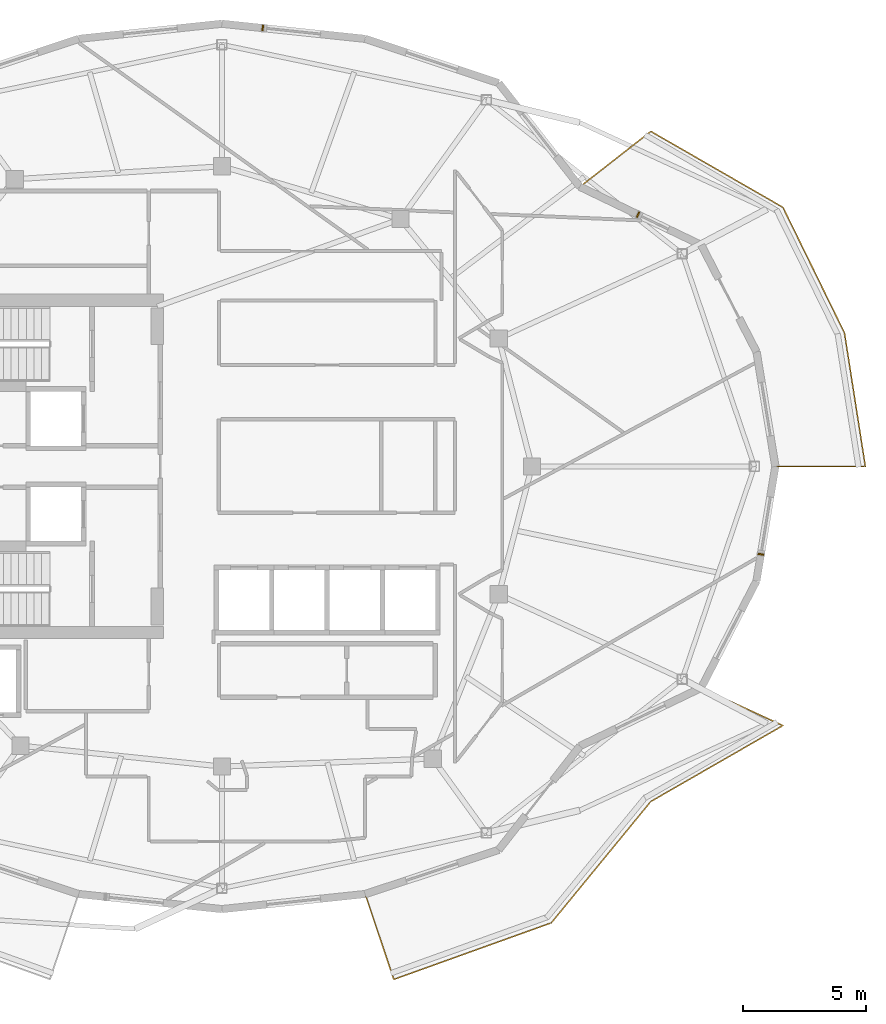
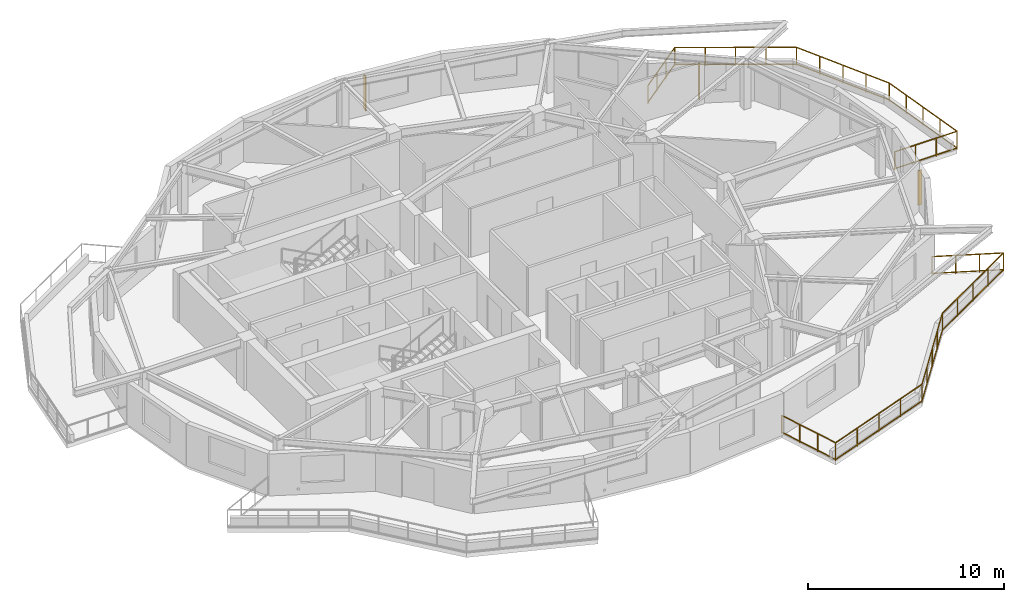
# One storey, part 9 of 9: 3 shading devices, 2 railings.
"""IFC4 building model written with IfcOpenShell, lengths in metres."""

from ifc_helpers import new_model, si_unit, direction, frame, origin, origin_2d, place, context, subcontext, project, spatial, rectangle, extrude, material, type_object, element, save


model = new_model("IFC4")

# Units and contexts
model_context = context("Model", 3, precision=1e-05, world=origin(), true_north=direction((0.0, 1.0)))
body_context = subcontext(model_context, "Body", "Model", "MODEL_VIEW")
ifc_project = project(units=[si_unit("LENGTHUNIT", "METRE"), si_unit("AREAUNIT", "SQUARE_METRE"), si_unit("VOLUMEUNIT", "CUBIC_METRE"), si_unit("PLANEANGLEUNIT", "RADIAN"), si_unit("MASSUNIT", "GRAM", prefix="KILO")], contexts=[model_context])

# Site, building, storey
site_placement = place(None, origin())
site = spatial("IfcSite", under=ifc_project, at=site_placement, CompositionType="ELEMENT")
building_placement = place(site_placement, origin())
building = spatial("IfcBuilding", under=site, at=building_placement, Name="Kolvaren Gate Tower and Convention Centre", CompositionType="ELEMENT")
storey_placement = place(building_placement, frame((0.0, 0.0, 249.199951171875)))
storey = spatial("IfcBuildingStorey", under=building, at=storey_placement, Name="L67", CompositionType="ELEMENT", Elevation=249.199951171875)

# Railings
ifc_material_1 = material(Name="Brushed Stainless Steel Grade 316L", Category="steel")
railing_type = type_object("IfcRailingType", Name="ARCH-RL-GUARD-1150", PredefinedType="GUARDRAIL", material=ifc_material_1)
railing_1_placement = place(storey_placement, frame((52.625, 27.0, 0.0)))
element("IfcRailing", 1, at=railing_1_placement, inside=storey, type_object=railing_type, Name="Tower L67 Terrace Perimeter Guardrail GR-1", PredefinedType="GUARDRAIL", context=body_context, shape_type="SweptSolid", body=[
    extrude(rectangle(XDim=0.048095703125, YDim=0.048095703125, at=origin_2d()), frame((0.028076171875, 0.0, 1.1259765625), z_axis=(1.0, 0.0, 0.0), x_axis=(0.0, 1.0, 0.0)), (0.0, 0.0, 1.0), 3.603759765625),
    extrude(rectangle(XDim=0.048095703125, YDim=0.048095703125, at=origin_2d()), frame((0.028076171875, 0.0, 0.083984375), z_axis=(1.0, 0.0, 0.0), x_axis=(0.0, 1.0, 0.0)), (0.0, 0.0, 1.0), 3.603759765625),
    extrude(rectangle(XDim=0.048095703125, YDim=0.048095703125, at=origin_2d()), frame((3.655517578125, 0.02783203125, 1.1259765625), z_axis=(-0.1543985789, 0.988008643097, 0.0), x_axis=(-0.988008643097, -0.1543985789, 0.0)), (0.0, 0.0, 1.0), 5.435546875),
    extrude(rectangle(XDim=0.048095703125, YDim=0.048095703125, at=origin_2d()), frame((3.655517578125, 0.02783203125, 0.083984375), z_axis=(-0.1543985789, 0.988008643097, 0.0), x_axis=(-0.988008643097, -0.1543985789, 0.0)), (0.0, 0.0, 1.0), 5.435546875),
    extrude(rectangle(XDim=0.048095703125, YDim=0.048095703125, at=origin_2d()), frame((2.799560546875, 5.450927734375, 1.1259765625), z_axis=(-0.440058847499, 0.897968936399, 0.0), x_axis=(-0.897968936399, -0.440058847499, 0.0)), (0.0, 0.0, 1.0), 5.63330078125),
    extrude(rectangle(XDim=0.048095703125, YDim=0.048095703125, at=origin_2d()), frame((2.799560546875, 5.450927734375, 0.083984375), z_axis=(-0.440058847499, 0.897968936399, 0.0), x_axis=(-0.897968936399, -0.440058847499, 0.0)), (0.0, 0.0, 1.0), 5.63330078125),
    extrude(rectangle(XDim=0.048095703125, YDim=0.048095703125, at=origin_2d()), frame((0.283935546875, 10.548583984375, 1.1259765625), z_axis=(-0.866894385595, 0.498491849706, 0.0), x_axis=(-0.498491849706, -0.866894385595, 0.0)), (0.0, 0.0, 1.0), 6.140869140625),
    extrude(rectangle(XDim=0.048095703125, YDim=0.048095703125, at=origin_2d()), frame((0.283935546875, 10.548583984375, 0.083984375), z_axis=(-0.866894385595, 0.498491849706, 0.0), x_axis=(-0.498491849706, -0.866894385595, 0.0)), (0.0, 0.0, 1.0), 6.140869140625),
    extrude(rectangle(XDim=0.048095703125, YDim=0.048095703125, at=origin_2d()), frame((-5.0859375, 13.6064453125, 1.1259765625), z_axis=(-0.787988976981, -0.61568934712, 0.0), x_axis=(0.61568934712, -0.787988976981, 0.0)), (0.0, 0.0, 1.0), 3.60400390625),
    extrude(rectangle(XDim=0.048095703125, YDim=0.048095703125, at=origin_2d()), frame((-5.0859375, 13.6064453125, 0.083984375), z_axis=(-0.787988976981, -0.61568934712, 0.0), x_axis=(0.61568934712, -0.787988976981, 0.0)), (0.0, 0.0, 1.0), 3.60400390625),
    extrude(rectangle(XDim=0.0419921875, YDim=0.0419921875, at=origin_2d()), origin(), (0.0, 0.0, 1.0), 1.14990234375),
    extrude(rectangle(XDim=0.0419921875, YDim=0.0419921875, at=origin_2d()), frame((3.659912109375, 0.0, 0.0)), (0.0, 0.0, 1.0), 1.14990234375),
    extrude(rectangle(XDim=0.0419921875, YDim=0.0419921875, at=origin_2d()), frame((1.219970703125, 0.0, 0.0)), (0.0, 0.0, 1.0), 1.099853515625),
    extrude(rectangle(XDim=0.0419921875, YDim=0.0419921875, at=origin_2d()), frame((2.43994140625, 0.0, 0.0)), (0.0, 0.0, 1.0), 1.099853515625),
    extrude(rectangle(XDim=0.0419921875, YDim=0.0419921875, at=origin_2d()), frame((2.81201171875, 5.42578125, 0.0)), (0.0, 0.0, 1.0), 1.14990234375),
    extrude(rectangle(XDim=0.0419921875, YDim=0.0419921875, at=origin_2d()), frame((3.447998046875, 1.3564453125, 0.0)), (0.0, 0.0, 1.0), 1.099853515625),
    extrude(rectangle(XDim=0.0419921875, YDim=0.0419921875, at=origin_2d()), frame((3.23583984375, 2.712890625, 0.0)), (0.0, 0.0, 1.0), 1.099853515625),
    extrude(rectangle(XDim=0.0419921875, YDim=0.0419921875, at=origin_2d()), frame((3.02392578125, 4.0693359375, 0.0)), (0.0, 0.0, 1.0), 1.099853515625),
    extrude(rectangle(XDim=0.0419921875, YDim=0.0419921875, at=origin_2d()), frame((0.308349609375, 10.53466796875, 0.0)), (0.0, 0.0, 1.0), 1.14990234375),
    extrude(rectangle(XDim=0.0419921875, YDim=0.0419921875, at=origin_2d()), frame((2.18603515625, 6.703125, 0.0)), (0.0, 0.0, 1.0), 1.099853515625),
    extrude(rectangle(XDim=0.0419921875, YDim=0.0419921875, at=origin_2d()), frame((1.56005859375, 7.980224609375, 0.0)), (0.0, 0.0, 1.0), 1.099853515625),
    extrude(rectangle(XDim=0.0419921875, YDim=0.0419921875, at=origin_2d()), frame((0.934326171875, 9.25732421875, 0.0)), (0.0, 0.0, 1.0), 1.099853515625),
    extrude(rectangle(XDim=0.0419921875, YDim=0.0419921875, at=origin_2d()), frame((-5.063720703125, 13.623779296875, 0.0)), (0.0, 0.0, 1.0), 1.14990234375),
    extrude(rectangle(XDim=0.0419921875, YDim=0.0419921875, at=origin_2d()), frame((-1.03466796875, 11.306884765625, 0.0)), (0.0, 0.0, 1.0), 1.099853515625),
    extrude(rectangle(XDim=0.0419921875, YDim=0.0419921875, at=origin_2d()), frame((-2.377685546875, 12.0791015625, 0.0)), (0.0, 0.0, 1.0), 1.099853515625),
    extrude(rectangle(XDim=0.0419921875, YDim=0.0419921875, at=origin_2d()), frame((-3.720703125, 12.8515625, 0.0)), (0.0, 0.0, 1.0), 1.099853515625),
    extrude(rectangle(XDim=0.0419921875, YDim=0.0419921875, at=origin_2d()), frame((-7.94775390625, 11.370361328125, 0.0)), (0.0, 0.0, 1.0), 1.14990234375),
    extrude(rectangle(XDim=0.0419921875, YDim=0.0419921875, at=origin_2d()), frame((-6.025146484375, 12.87255859375, 0.0)), (0.0, 0.0, 1.0), 1.099853515625),
    extrude(rectangle(XDim=0.0419921875, YDim=0.0419921875, at=origin_2d()), frame((-6.986328125, 12.12158203125, 0.0)), (0.0, 0.0, 1.0), 1.099853515625),
])
railing_2_placement = place(storey_placement, frame((35.948486328125, 9.61328125, 0.0)))
element("IfcRailing", 2, at=railing_2_placement, inside=storey, type_object=railing_type, Name="Tower L67 Terrace Perimeter Guardrail GR-4", PredefinedType="GUARDRAIL", context=body_context, shape_type="SweptSolid", body=[
    extrude(rectangle(XDim=0.048095703125, YDim=0.048095703125, at=origin_2d()), frame((0.0087890625, -0.026611328125, 1.1259765625), z_axis=(0.317588247294, -0.948228719867, 0.0), x_axis=(0.948228719867, 0.317588247294, 0.0)), (0.0, 0.0, 1.0), 3.603759765625),
    extrude(rectangle(XDim=0.048095703125, YDim=0.048095703125, at=origin_2d()), frame((0.0087890625, -0.026611328125, 0.083984375), z_axis=(0.317588247294, -0.948228719867, 0.0), x_axis=(0.948228719867, 0.317588247294, 0.0)), (0.0, 0.0, 1.0), 3.603759765625),
    extrude(rectangle(XDim=0.048095703125, YDim=0.048095703125, at=origin_2d()), frame((1.188720703125, -3.4609375, 1.1259765625), z_axis=(0.941139090914, 0.338019543152, 0.0), x_axis=(-0.338019543152, 0.941139090914, 0.0)), (0.0, 0.0, 1.0), 6.75048828125),
    extrude(rectangle(XDim=0.048095703125, YDim=0.048095703125, at=origin_2d()), frame((1.188720703125, -3.4609375, 0.083984375), z_axis=(0.941139090914, 0.338019543152, 0.0), x_axis=(-0.338019543152, 0.941139090914, 0.0)), (0.0, 0.0, 1.0), 6.75048828125),
    extrude(rectangle(XDim=0.048095703125, YDim=0.048095703125, at=origin_2d()), frame((7.586181640625, -1.14794921875, 1.1259765625), z_axis=(0.634050293942, 0.773291810866, 0.0), x_axis=(-0.773291810866, 0.634050293942, 0.0)), (0.0, 0.0, 1.0), 6.322509765625),
    extrude(rectangle(XDim=0.048095703125, YDim=0.048095703125, at=origin_2d()), frame((7.586181640625, -1.14794921875, 0.083984375), z_axis=(0.634050293942, 0.773291810866, 0.0), x_axis=(-0.773291810866, 0.634050293942, 0.0)), (0.0, 0.0, 1.0), 6.322509765625),
    extrude(rectangle(XDim=0.048095703125, YDim=0.048095703125, at=origin_2d()), frame((11.63720703125, 3.77685546875, 1.1259765625), z_axis=(0.866894385595, 0.498491849706, 0.0), x_axis=(-0.498491849706, 0.866894385595, 0.0)), (0.0, 0.0, 1.0), 6.140869140625),
    extrude(rectangle(XDim=0.048095703125, YDim=0.048095703125, at=origin_2d()), frame((11.63720703125, 3.77685546875, 0.083984375), z_axis=(0.866894385595, 0.498491849706, 0.0), x_axis=(-0.498491849706, 0.866894385595, 0.0)), (0.0, 0.0, 1.0), 6.140869140625),
    extrude(rectangle(XDim=0.048095703125, YDim=0.048095703125, at=origin_2d()), frame((16.95947265625, 6.86376953125, 1.1259765625), z_axis=(-0.907846116663, 0.419303503993, 0.0), x_axis=(-0.419303503993, -0.907846116663, 0.0)), (0.0, 0.0, 1.0), 3.60400390625),
    extrude(rectangle(XDim=0.048095703125, YDim=0.048095703125, at=origin_2d()), frame((16.95947265625, 6.86376953125, 0.083984375), z_axis=(-0.907846116663, 0.419303503993, 0.0), x_axis=(-0.419303503993, -0.907846116663, 0.0)), (0.0, 0.0, 1.0), 3.60400390625),
    extrude(rectangle(XDim=0.0419921875, YDim=0.0419921875, at=origin_2d()), origin(), (0.0, 0.0, 1.0), 1.14990234375),
    extrude(rectangle(XDim=0.0419921875, YDim=0.0419921875, at=origin_2d()), frame((1.162353515625, -3.470458984375, 0.0)), (0.0, 0.0, 1.0), 1.14990234375),
    extrude(rectangle(XDim=0.0419921875, YDim=0.0419921875, at=origin_2d()), frame((0.387451171875, -1.15673828125, 0.0)), (0.0, 0.0, 1.0), 1.099853515625),
    extrude(rectangle(XDim=0.0419921875, YDim=0.0419921875, at=origin_2d()), frame((0.77490234375, -2.313720703125, 0.0)), (0.0, 0.0, 1.0), 1.099853515625),
    extrude(rectangle(XDim=0.0419921875, YDim=0.0419921875, at=origin_2d()), frame((7.568359375, -1.169677734375, 0.0)), (0.0, 0.0, 1.0), 1.14990234375),
    extrude(rectangle(XDim=0.0419921875, YDim=0.0419921875, at=origin_2d()), frame((2.763916015625, -2.895263671875, 0.0)), (0.0, 0.0, 1.0), 1.099853515625),
    extrude(rectangle(XDim=0.0419921875, YDim=0.0419921875, at=origin_2d()), frame((4.365234375, -2.320068359375, 0.0)), (0.0, 0.0, 1.0), 1.099853515625),
    extrude(rectangle(XDim=0.0419921875, YDim=0.0419921875, at=origin_2d()), frame((5.966796875, -1.744873046875, 0.0)), (0.0, 0.0, 1.0), 1.099853515625),
    extrude(rectangle(XDim=0.0419921875, YDim=0.0419921875, at=origin_2d()), frame((11.61279296875, 3.762939453125, 0.0)), (0.0, 0.0, 1.0), 1.14990234375),
    extrude(rectangle(XDim=0.0419921875, YDim=0.0419921875, at=origin_2d()), frame((8.57958984375, 0.0634765625, 0.0)), (0.0, 0.0, 1.0), 1.099853515625),
    extrude(rectangle(XDim=0.0419921875, YDim=0.0419921875, at=origin_2d()), frame((9.590576171875, 1.296630859375, 0.0)), (0.0, 0.0, 1.0), 1.099853515625),
    extrude(rectangle(XDim=0.0419921875, YDim=0.0419921875, at=origin_2d()), frame((10.6015625, 2.52978515625, 0.0)), (0.0, 0.0, 1.0), 1.099853515625),
    extrude(rectangle(XDim=0.0419921875, YDim=0.0419921875, at=origin_2d()), frame((16.98486328125, 6.85205078125, 0.0)), (0.0, 0.0, 1.0), 1.14990234375),
    extrude(rectangle(XDim=0.0419921875, YDim=0.0419921875, at=origin_2d()), frame((12.955810546875, 4.53515625, 0.0)), (0.0, 0.0, 1.0), 1.099853515625),
    extrude(rectangle(XDim=0.0419921875, YDim=0.0419921875, at=origin_2d()), frame((14.298828125, 5.3076171875, 0.0)), (0.0, 0.0, 1.0), 1.099853515625),
    extrude(rectangle(XDim=0.0419921875, YDim=0.0419921875, at=origin_2d()), frame((15.641845703125, 6.079833984375, 0.0)), (0.0, 0.0, 1.0), 1.099853515625),
    extrude(rectangle(XDim=0.0419921875, YDim=0.0419921875, at=origin_2d()), frame((13.662109375, 8.38671875, 0.0)), (0.0, 0.0, 1.0), 1.14990234375),
    extrude(rectangle(XDim=0.0419921875, YDim=0.0419921875, at=origin_2d()), frame((15.877197265625, 7.363525390625, 0.0)), (0.0, 0.0, 1.0), 1.099853515625),
    extrude(rectangle(XDim=0.0419921875, YDim=0.0419921875, at=origin_2d()), frame((14.769775390625, 7.875244140625, 0.0)), (0.0, 0.0, 1.0), 1.099853515625),
])

# Shading devices
ifc_material_2 = material(Name="Kiln-Fired Bogota Terracotta Ceramic Louvre Profile", Category="masonry")
shading_device_type = type_object("IfcShadingDeviceType", Name="ARCH-SHD-FIN-180", PredefinedType="JALOUSIE", material=ifc_material_2)
for number, where, z_axis, x_axis, name in (
    (3, (47.038818359375, 37.235595703125, 0.22021484375), (0.0, 0.0, 1.0), (0.901357634097, -0.433075530889, 0.0), "Ceramic Vertical Brise-Soleil Fin FN-L67-02"),
    (4, (31.78369140625, 44.8251953125, 0.22021484375), (0.0, 0.0, 1.0), (0.994499981166, -0.104736753152, 0.0), "Ceramic Vertical Brise-Soleil Fin FN-L67-05"),
    (5, (52.037109375, 23.427734375, 0.22021484375), (0.0, 0.0, 1.0), (0.162389178836, 0.986726788223, 0.0), "Ceramic Vertical Brise-Soleil Fin FN-L67-23"),
):
    element("IfcShadingDevice", number, at=place(storey_placement, frame(where, z_axis=z_axis, x_axis=x_axis)), inside=storey, type_object=shading_device_type, Name=name, PredefinedType="JALOUSIE", context=body_context, shape_type="SweptSolid", body=[
        extrude(rectangle(XDim=0.06005859375, YDim=0.239990234375, at=origin_2d()), origin(), (0.0, 0.0, 1.0), 2.14990234375),
    ])

save(model, "model.ifc")
